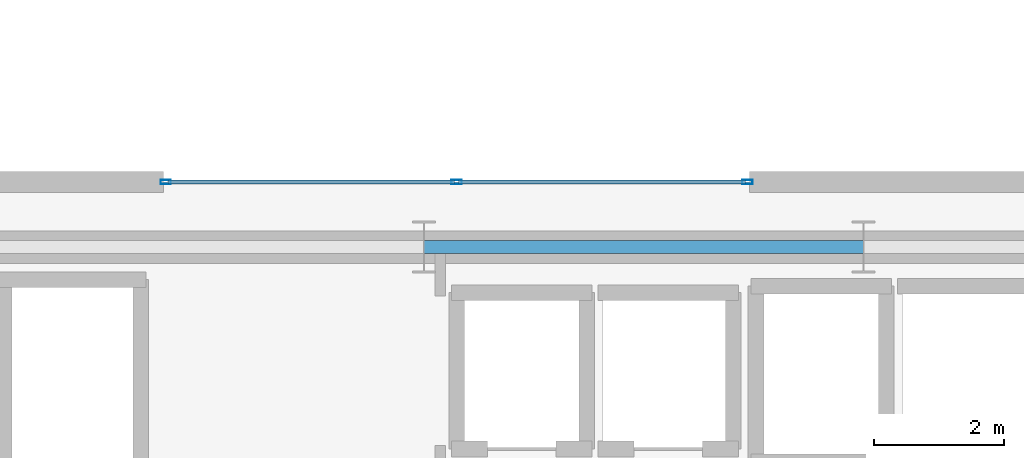
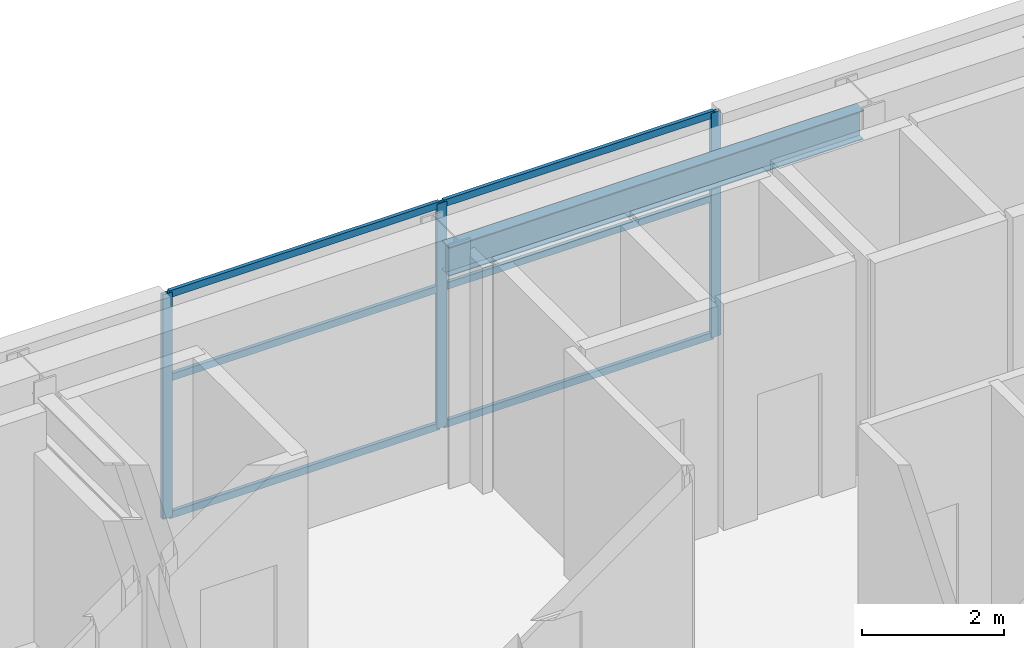
# One storey, part 4 of 22: 9 members, 1 beam, 1 element without a shape of its own.
"""IFC4 building model written with IfcOpenShell, lengths in metres."""

import ifcopenshell
import ifcopenshell.guid

model = None  # the IFC model being written
_history = None  # IfcOwnerHistory: only IFC2X3 demands one
_inside = {}  # id of a spatial element -> (the spatial element, [elements in it])
_under = {}  # id of a project, library or spatial element -> (it, [spatial elements below it])
_declared = {}  # id of a project -> (the project, [libraries it declares])
_typed = {}  # id of a type object -> (the type object, [elements of that type])
_made_of = {}  # id of a material, layer set ... -> (it, [elements and type objects made of it])


def new_model(schema):
    """Start an empty IFC model of exactly this schema.

    Asked for "IFC4X3", IfcOpenShell would pick the latest addendum, in which some entities
    have other attributes; the version numbers below select the first issue.
    IFC2X3 requires an IfcOwnerHistory on every rooted entity: one is made here for all.
    """
    global model, _history
    if schema == "IFC4X3":
        model = ifcopenshell.file(schema_version=(4, 3, 0, 0))
    else:
        model = ifcopenshell.file(schema=schema)
    _inside.clear()
    _under.clear()
    _declared.clear()
    _typed.clear()
    _made_of.clear()
    _history = None
    if model.schema == "IFC2X3":
        org = make("IfcOrganization", Name="unknown")
        user = make(
            "IfcPersonAndOrganization",
            ThePerson=make("IfcPerson", FamilyName="unknown"),
            TheOrganization=org,
        )
        app = make(
            "IfcApplication",
            ApplicationDeveloper=org,
            Version="unknown",
            ApplicationFullName="unknown",
            ApplicationIdentifier="unknown",
        )
        _history = make(
            "IfcOwnerHistory",
            OwningUser=user,
            OwningApplication=app,
            ChangeAction="ADDED",
            CreationDate=0,
        )
    return model


def make(cls, **values):
    """One entity of the class cls with the attributes given. An attribute that is None is left unset."""
    return model.create_entity(
        cls, **{name: value for name, value in values.items() if value is not None}
    )


def rooted(cls, **values):
    """An entity with a GlobalId (a new one), such as an element, a storey or a relation."""
    return make(cls, GlobalId=ifcopenshell.guid.new(), OwnerHistory=_history, **values)


def si_unit(unit_type, name, prefix=None):
    """IfcSIUnit, for example si_unit("LENGTHUNIT", "METRE", prefix="MILLI")."""
    return make("IfcSIUnit", UnitType=unit_type, Prefix=prefix, Name=name)


def assignment(units):
    """IfcUnitAssignment: the units of a project."""
    return None if units is None else make("IfcUnitAssignment", Units=units)


def point(xyz):
    """IfcCartesianPoint."""
    return None if xyz is None else make("IfcCartesianPoint", Coordinates=xyz)


def direction(xyz):
    """IfcDirection."""
    return None if xyz is None else make("IfcDirection", DirectionRatios=xyz)


def frame(location, z_axis=None, x_axis=None):
    """IfcAxis2Placement3D, a coordinate frame: its origin and axes. An axis left out is left unset."""
    return make(
        "IfcAxis2Placement3D",
        Location=point(location),
        Axis=direction(z_axis),
        RefDirection=direction(x_axis),
    )


def frame_2d(location, x_axis=None):
    """IfcAxis2Placement2D, a coordinate frame in the plane: its origin and x axis."""
    return make(
        "IfcAxis2Placement2D", Location=point(location), RefDirection=direction(x_axis)
    )


def origin():
    """The frame at (0, 0, 0) with its axes left unset."""
    return frame((0.0, 0.0, 0.0))


def origin_2d():
    """The frame at (0, 0) in the plane with its x axis left unset."""
    return frame_2d((0.0, 0.0))


def place(relative_to, where):
    """IfcLocalPlacement: puts the frame where relative to a parent placement (None: the world)."""
    return make(
        "IfcLocalPlacement", PlacementRelTo=relative_to, RelativePlacement=where
    )


def context(
    kind, dimensions, precision=None, world=None, true_north=None, identifier=None
):
    """IfcGeometricRepresentationContext, for example the 3D "Model" context."""
    return make(
        "IfcGeometricRepresentationContext",
        ContextIdentifier=identifier,
        ContextType=kind,
        CoordinateSpaceDimension=dimensions,
        Precision=precision,
        WorldCoordinateSystem=world,
        TrueNorth=true_north,
    )


def subcontext(parent, identifier, kind, view, scale=None):
    """IfcGeometricRepresentationSubContext, for example "Body" below "Model"."""
    return make(
        "IfcGeometricRepresentationSubContext",
        ContextIdentifier=identifier,
        ContextType=kind,
        ParentContext=parent,
        TargetScale=scale,
        TargetView=view,
    )


def project(units=None, contexts=None):
    """IfcProject with its units and contexts."""
    return rooted(
        "IfcProject",
        Name="project",
        RepresentationContexts=contexts,
        UnitsInContext=assignment(units),
    )


def spatial(cls, under=None, at=None, **own):
    """A site, building, storey or space (cls), placed at a placement, below another one or the project."""
    s = rooted(cls, ObjectPlacement=at, **own)
    if under is not None:
        _under.setdefault(under.id(), (under, []))[1].append(s)
    return s


def profile(cls, at=None, kind="AREA", **sizes):
    """A parametric profile (cls). Its sizes go by their IFC names, for example OverallWidth=200.0."""
    return make(cls, ProfileType=kind, Position=at, **sizes)


def hollow_rectangle(**sizes):
    """IfcRectangleHollowProfileDef."""
    return profile("IfcRectangleHollowProfileDef", **sizes)


def i_section(**sizes):
    """IfcIShapeProfileDef."""
    return profile("IfcIShapeProfileDef", **sizes)


def extrude(swept, where, along, depth):
    """IfcExtrudedAreaSolid: the profile swept, set in the frame where, extruded along a direction by depth."""
    return make(
        "IfcExtrudedAreaSolid",
        SweptArea=swept,
        Position=where,
        ExtrudedDirection=direction(along),
        Depth=depth,
    )


def shape(context_of_items, identifier, shape_type, items):
    """IfcShapeRepresentation: the items that make up one representation, for example the "Body"."""
    return make(
        "IfcShapeRepresentation",
        ContextOfItems=context_of_items,
        RepresentationIdentifier=identifier,
        RepresentationType=shape_type,
        Items=items,
    )


def material(Name=None, Category=None):
    """IfcMaterial."""
    return make("IfcMaterial", Name=Name, Category=Category)


def layer(
    of_material, thickness, ventilated=None, Name=None, Category=None, Priority=None
):
    """IfcMaterialLayer: one layer of a wall or slab, of a material (None: an air gap)."""
    return make(
        "IfcMaterialLayer",
        Material=of_material,
        LayerThickness=thickness,
        IsVentilated=ventilated,
        Name=Name,
        Category=Category,
        Priority=Priority,
    )


def layer_set(layers, Name=None):
    """IfcMaterialLayerSet."""
    return make("IfcMaterialLayerSet", MaterialLayers=layers, LayerSetName=Name)


def material_profile(
    of_material, cross_section, Name=None, Category=None, Priority=None
):
    """IfcMaterialProfile: a cross section and its material."""
    return make(
        "IfcMaterialProfile",
        Name=Name,
        Material=of_material,
        Profile=cross_section,
        Priority=Priority,
        Category=Category,
    )


def profile_set(profiles, Name=None, composite=None):
    """IfcMaterialProfileSet."""
    return make(
        "IfcMaterialProfileSet",
        Name=Name,
        MaterialProfiles=profiles,
        CompositeProfile=composite,
    )


def made_of(thing, what):
    """Note that an element or type object is made of a material, layer set ...; save() writes the relation."""
    if what is not None:
        _made_of.setdefault(what.id(), (what, []))[1].append(thing)
    return thing


def type_object(cls, material=None, **own):
    """A type object (cls), such as IfcWallType, which elements share."""
    return made_of(rooted(cls, **own), material)


def element(
    cls,
    number,
    at=None,
    inside=None,
    cuts=None,
    type_object=None,
    material=None,
    context=None,
    identifier="Body",
    shape_type=None,
    held_by="IfcProductDefinitionShape",
    body=None,
    shapes=None,
    **own,
):
    """One element of the class cls, such as IfcWall. Its Tag is "e" and its number.

    at: its placement. inside: the storey or other place that contains it. cuts: it is an
    opening in that element (IfcRelVoidsElement). A single representation is given by context,
    identifier, shape_type and body (its items); several are given by shapes. held_by: the class
    of the entity that holds the representations. save() writes the other relations.
    """
    e = rooted(cls, Tag="e%d" % number, ObjectPlacement=at, **own)
    if body is not None:
        shapes = [shape(context, identifier, shape_type, body)]
    if shapes is not None:
        e.Representation = make(held_by, Representations=shapes)
    if inside is not None:
        _inside.setdefault(inside.id(), (inside, []))[1].append(e)
    if cuts is not None:
        rooted(
            "IfcRelVoidsElement", RelatingBuildingElement=cuts, RelatedOpeningElement=e
        )
    if type_object is not None:
        _typed.setdefault(type_object.id(), (type_object, []))[1].append(e)
    return made_of(e, material)


def aggregate(whole, parts):
    """IfcRelAggregates: a whole, such as a stair, and the parts it consists of."""
    return rooted("IfcRelAggregates", RelatingObject=whole, RelatedObjects=parts)


def save(model, path):
    """Write the relations noted so far, then the file.

    IfcRelAggregates (storeys below a building ...), IfcRelContainedInSpatialStructure (elements
    in a storey), IfcRelDefinesByType, IfcRelAssociatesMaterial and IfcRelDeclares: one each for
    every whole, place, type object, material and project.
    """
    for whole, parts in _under.values():
        aggregate(whole, parts)
    for where, things in _inside.values():
        rooted(
            "IfcRelContainedInSpatialStructure",
            RelatedElements=things,
            RelatingStructure=where,
        )
    for kind, things in _typed.values():
        rooted("IfcRelDefinesByType", RelatedObjects=things, RelatingType=kind)
    for what, things in _made_of.values():
        rooted("IfcRelAssociatesMaterial", RelatedObjects=things, RelatingMaterial=what)
    for by, libraries in _declared.values():
        rooted("IfcRelDeclares", RelatingContext=by, RelatedDefinitions=libraries)
    model.write(path)


model = new_model("IFC4")

# Units and contexts
model_context = context("Model", 3, precision=1e-05, world=origin(), true_north=direction((0.0, 1.0)))
body_context = subcontext(model_context, "Body", "Model", "MODEL_VIEW")
ifc_project = project(units=[si_unit("LENGTHUNIT", "METRE"), si_unit("AREAUNIT", "SQUARE_METRE"), si_unit("VOLUMEUNIT", "CUBIC_METRE"), si_unit("PLANEANGLEUNIT", "RADIAN"), si_unit("MASSUNIT", "GRAM", prefix="KILO")], contexts=[model_context])

# Site, building, storey
site_placement = place(None, origin())
site = spatial("IfcSite", under=ifc_project, at=site_placement, CompositionType="ELEMENT")
building_placement = place(site_placement, origin())
building = spatial("IfcBuilding", under=site, at=building_placement, Name="Haevon Station Towers", CompositionType="ELEMENT")
storey_placement = place(building_placement, frame((0.0, 0.0, 133.800048828125)))
storey = spatial("IfcBuildingStorey", under=building, at=storey_placement, Name="L36", CompositionType="ELEMENT", Elevation=133.800048828125)

# Beam
ifc_material_1 = material(Name="Steel S355", Category="steel")
ifc_material_profile_1 = material_profile(ifc_material_1, i_section(OverallWidth=0.199951171875, OverallDepth=0.5, WebThickness=0.010009765625, FlangeThickness=0.01611328125, at=origin_2d()), Name="H-500x200x10x16")
ifc_profile_set_1 = profile_set([ifc_material_profile_1], Name="Steel S355")
beam_type = type_object("IfcBeamType", Name="BM-SP500", PredefinedType="SPANDREL", material=ifc_profile_set_1)
beam_placement = place(storey_placement, frame((37.5, 48.0, 3.669921875), z_axis=(1.0, 0.0, 0.0), x_axis=(0.0, 1.0, 0.0)))
element("IfcBeam", 1, at=beam_placement, inside=storey, type_object=beam_type, Name="BM-T1U-L36-04-04", PredefinedType="SPANDREL", context=body_context, shape_type="SweptSolid", body=[
    extrude(i_section(OverallWidth=0.199951171875, OverallDepth=0.5, WebThickness=0.010009765625, FlangeThickness=0.01611328125, at=origin_2d()), origin(), (0.0, 0.0, 1.0), 6.75),
])

# Curtain wall, members
ifc_material_2 = material(Name="Anodised aluminium and Low-E double glazing", Category="aluminium")
ifc_layer = layer(ifc_material_2, 0.179931640625)
ifc_layer_set = layer_set([ifc_layer], Name="Anodised aluminium and Low-E double glazing")
curtain_wall_type = type_object("IfcCurtainWallType", Name="CW-SYS4", PredefinedType="NOTDEFINED", material=ifc_layer_set)
curtain_wall_placement = place(storey_placement, origin())
curtain_wall = element("IfcCurtainWall", 2, at=curtain_wall_placement, inside=storey, type_object=curtain_wall_type, Name="L36 Curtain Wall CW-T1-L36-N", PredefinedType="NOTDEFINED")
ifc_material_3 = material(Name="Anodised aluminium 6063-T6", Category="aluminium")
ifc_material_profile_2 = material_profile(ifc_material_3, hollow_rectangle(XDim=0.06494140625, YDim=0.159912109375, WallThickness=0.00390625, at=origin_2d()), Name="CWM-160x65x4")
ifc_profile_set_2 = profile_set([ifc_material_profile_2], Name="Anodised aluminium 6063-T6")
member_type_1 = type_object("IfcMemberType", Name="CWM-160", PredefinedType="MULLION", material=ifc_profile_set_2)
member_1_placement = place(storey_placement, frame((33.532470703125, 49.0, 0.0), z_axis=(0.0, 0.0, 1.0), x_axis=(0.0, 1.0, 0.0)))
member_1 = element("IfcMember", 3, at=member_1_placement, type_object=member_type_1, Name="CW-SYS4 mullion 1", PredefinedType="MULLION", context=body_context, shape_type="SweptSolid", body=[
    extrude(hollow_rectangle(XDim=0.06494140625, YDim=0.159912109375, WallThickness=0.00390625, at=origin_2d()), origin(), (0.0, 0.0, 1.0), 3.869873046875),
])
member_2_placement = place(storey_placement, frame((38.0, 49.0, 0.0), z_axis=(0.0, 0.0, 1.0), x_axis=(0.0, 1.0, 0.0)))
member_2 = element("IfcMember", 4, at=member_2_placement, type_object=member_type_1, Name="CW-SYS4 mullion 2", PredefinedType="MULLION", context=body_context, shape_type="SweptSolid", body=[
    extrude(hollow_rectangle(XDim=0.06494140625, YDim=0.159912109375, WallThickness=0.00390625, at=origin_2d()), origin(), (0.0, 0.0, 1.0), 3.869873046875),
])
member_3_placement = place(storey_placement, frame((42.467529296875, 49.0, 0.0), z_axis=(0.0, 0.0, 1.0), x_axis=(0.0, 1.0, 0.0)))
member_3 = element("IfcMember", 5, at=member_3_placement, type_object=member_type_1, Name="CW-SYS4 mullion 3", PredefinedType="MULLION", context=body_context, shape_type="SweptSolid", body=[
    extrude(hollow_rectangle(XDim=0.06494140625, YDim=0.159912109375, WallThickness=0.00390625, at=origin_2d()), origin(), (0.0, 0.0, 1.0), 3.869873046875),
])
ifc_material_profile_3 = material_profile(ifc_material_3, hollow_rectangle(XDim=0.06005859375, YDim=0.1201171875, WallThickness=0.0029296875, at=origin_2d()), Name="CWT-120x60x3")
ifc_profile_set_3 = profile_set([ifc_material_profile_3], Name="Anodised aluminium 6063-T6")
member_type_2 = type_object("IfcMemberType", Name="CWT-120", PredefinedType="USERDEFINED", material=ifc_profile_set_3)
member_4_placement = place(storey_placement, frame((33.56494140625, 49.0, 0.030029296875), z_axis=(1.0, 0.0, 0.0), x_axis=(0.0, 1.0, 0.0)))
member_4 = element("IfcMember", 6, at=member_4_placement, type_object=member_type_2, Name="CW-SYS4 transom 1.1", ObjectType="TRANSOM", PredefinedType="USERDEFINED", context=body_context, shape_type="SweptSolid", body=[
    extrude(hollow_rectangle(XDim=0.06005859375, YDim=0.1201171875, WallThickness=0.0029296875, at=origin_2d()), origin(), (0.0, 0.0, 1.0), 4.402587890625),
])
member_5_placement = place(storey_placement, frame((33.56494140625, 49.0, 2.3994140625), z_axis=(1.0, 0.0, 0.0), x_axis=(0.0, 1.0, 0.0)))
member_5 = element("IfcMember", 7, at=member_5_placement, type_object=member_type_2, Name="CW-SYS4 transom 1.2", ObjectType="TRANSOM", PredefinedType="USERDEFINED", context=body_context, shape_type="SweptSolid", body=[
    extrude(hollow_rectangle(XDim=0.06005859375, YDim=0.1201171875, WallThickness=0.0029296875, at=origin_2d()), origin(), (0.0, 0.0, 1.0), 4.402587890625),
])
member_6_placement = place(storey_placement, frame((33.56494140625, 49.0, 3.83984375), z_axis=(1.0, 0.0, 0.0), x_axis=(0.0, 1.0, 0.0)))
member_6 = element("IfcMember", 8, at=member_6_placement, type_object=member_type_2, Name="CW-SYS4 transom 1.3", ObjectType="TRANSOM", PredefinedType="USERDEFINED", context=body_context, shape_type="SweptSolid", body=[
    extrude(hollow_rectangle(XDim=0.06005859375, YDim=0.1201171875, WallThickness=0.0029296875, at=origin_2d()), origin(), (0.0, 0.0, 1.0), 4.402587890625),
])
member_7_placement = place(storey_placement, frame((38.032470703125, 49.0, 0.030029296875), z_axis=(1.0, 0.0, 0.0), x_axis=(0.0, 1.0, 0.0)))
member_7 = element("IfcMember", 9, at=member_7_placement, type_object=member_type_2, Name="CW-SYS4 transom 2.1", ObjectType="TRANSOM", PredefinedType="USERDEFINED", context=body_context, shape_type="SweptSolid", body=[
    extrude(hollow_rectangle(XDim=0.06005859375, YDim=0.1201171875, WallThickness=0.0029296875, at=origin_2d()), origin(), (0.0, 0.0, 1.0), 4.402587890625),
])
member_8_placement = place(storey_placement, frame((38.032470703125, 49.0, 2.3994140625), z_axis=(1.0, 0.0, 0.0), x_axis=(0.0, 1.0, 0.0)))
member_8 = element("IfcMember", 10, at=member_8_placement, type_object=member_type_2, Name="CW-SYS4 transom 2.2", ObjectType="TRANSOM", PredefinedType="USERDEFINED", context=body_context, shape_type="SweptSolid", body=[
    extrude(hollow_rectangle(XDim=0.06005859375, YDim=0.1201171875, WallThickness=0.0029296875, at=origin_2d()), origin(), (0.0, 0.0, 1.0), 4.402587890625),
])
member_9_placement = place(storey_placement, frame((38.032470703125, 49.0, 3.83984375), z_axis=(1.0, 0.0, 0.0), x_axis=(0.0, 1.0, 0.0)))
member_9 = element("IfcMember", 11, at=member_9_placement, type_object=member_type_2, Name="CW-SYS4 transom 2.3", ObjectType="TRANSOM", PredefinedType="USERDEFINED", context=body_context, shape_type="SweptSolid", body=[
    extrude(hollow_rectangle(XDim=0.06005859375, YDim=0.1201171875, WallThickness=0.0029296875, at=origin_2d()), origin(), (0.0, 0.0, 1.0), 4.402587890625),
])
aggregate(curtain_wall, [member_1, member_2, member_3, member_4, member_5, member_6, member_7, member_8, member_9])

save(model, "model.ifc")
